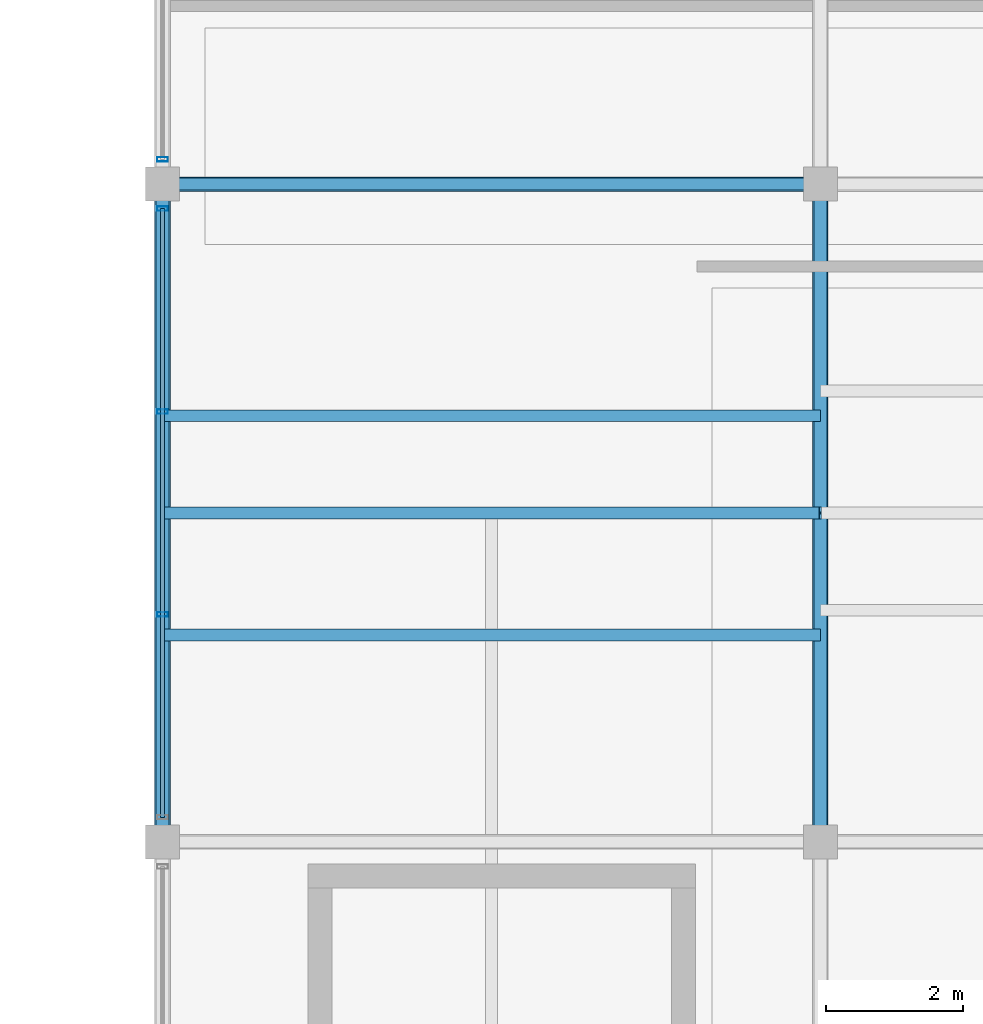
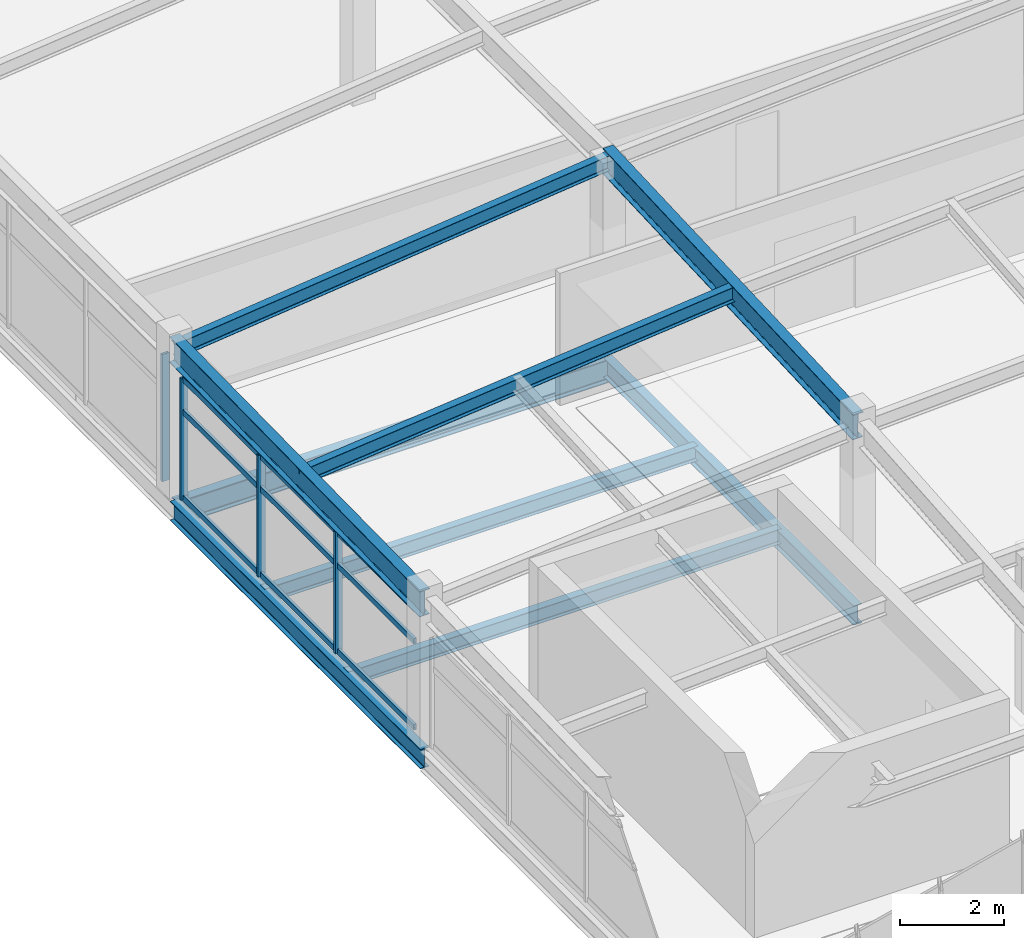
# One storey, part 34 of 65: 9 members, 7 beams, 2 elements without a shape of their own.
"""IFC4 building model written with IfcOpenShell, lengths in metres."""

from ifc_helpers import new_model, si_unit, direction, frame, origin, origin_2d, place, context, subcontext, project, spatial, hollow_rectangle, i_section, extrude, material, layer, layer_set, material_profile, profile_set, type_object, element, aggregate, save


model = new_model("IFC4")

# Units and contexts
model_context = context("Model", 3, precision=1e-05, world=origin(), true_north=direction((0.0, 1.0)))
body_context = subcontext(model_context, "Body", "Model", "MODEL_VIEW")
ifc_project = project(units=[si_unit("LENGTHUNIT", "METRE"), si_unit("AREAUNIT", "SQUARE_METRE"), si_unit("VOLUMEUNIT", "CUBIC_METRE"), si_unit("PLANEANGLEUNIT", "RADIAN"), si_unit("MASSUNIT", "GRAM", prefix="KILO")], contexts=[model_context])

# Site, building, storey
site_placement = place(None, origin())
site = spatial("IfcSite", under=ifc_project, at=site_placement, CompositionType="ELEMENT")
building_placement = place(site_placement, origin())
building = spatial("IfcBuilding", under=site, at=building_placement, Name="Chalmorin Arch Market", CompositionType="ELEMENT")
storey_placement = place(building_placement, frame((0.0, 0.0, 14.10009765625)))
storey = spatial("IfcBuildingStorey", under=building, at=storey_placement, Name="L03", CompositionType="ELEMENT", Elevation=14.10009765625)

# Curtain wall, members
ifc_material_1 = material(Name="Aluminium 6063-T6", Category="aluminium")
ifc_layer_1 = layer(ifc_material_1, 0.159912109375)
ifc_layer_set_1 = layer_set([ifc_layer_1], Name="Aluminium 6063-T6")
curtain_wall_type_1 = type_object("IfcCurtainWallType", Name="CulinaryStudioCurtainWall-CW3-8880x2840", PredefinedType="NOTDEFINED", material=ifc_layer_set_1)
curtain_wall_1_placement = place(storey_placement, origin())
curtain_wall_1 = element("IfcCurtainWall", 1, at=curtain_wall_1_placement, inside=storey, type_object=curtain_wall_type_1, Name="CW-03-112", PredefinedType="NOTDEFINED")
ifc_material_profile_1 = material_profile(ifc_material_1, hollow_rectangle(XDim=0.06494140625, YDim=0.159912109375, WallThickness=0.00390625, at=origin_2d()), Name="ALU65X160X4")
ifc_profile_set_1 = profile_set([ifc_material_profile_1], Name="Aluminium 6063-T6")
member_type_1 = type_object("IfcMemberType", Name="CurtainWallMullion-65x160", PredefinedType="MULLION", material=ifc_profile_set_1)
member_1_placement = place(storey_placement, frame((48.0, 84.919921875, 0.0), z_axis=(0.0, 0.0, 1.0), x_axis=(0.0, 1.0, 0.0)))
member_1 = element("IfcMember", 2, at=member_1_placement, type_object=member_type_1, Name="ML-112-02", PredefinedType="MULLION", context=body_context, shape_type="SweptSolid", body=[
    extrude(hollow_rectangle(XDim=0.06494140625, YDim=0.159912109375, WallThickness=0.00390625, at=origin_2d()), origin(), (0.0, 0.0, 1.0), 2.844970703125),
])
member_2_placement = place(storey_placement, frame((48.0, 87.8798828125, 0.0), z_axis=(0.0, 0.0, 1.0), x_axis=(0.0, 1.0, 0.0)))
member_2 = element("IfcMember", 3, at=member_2_placement, type_object=member_type_1, Name="ML-112-03", PredefinedType="MULLION", context=body_context, shape_type="SweptSolid", body=[
    extrude(hollow_rectangle(XDim=0.06494140625, YDim=0.159912109375, WallThickness=0.00390625, at=origin_2d()), origin(), (0.0, 0.0, 1.0), 2.844970703125),
])
member_3_placement = place(storey_placement, frame((48.0, 90.840087890625, 0.0), z_axis=(0.0, 0.0, 1.0), x_axis=(0.0, 1.0, 0.0)))
member_3 = element("IfcMember", 4, at=member_3_placement, type_object=member_type_1, Name="ML-112-04", PredefinedType="MULLION", context=body_context, shape_type="SweptSolid", body=[
    extrude(hollow_rectangle(XDim=0.06494140625, YDim=0.159912109375, WallThickness=0.00390625, at=origin_2d()), origin(), (0.0, 0.0, 1.0), 2.844970703125),
])

# Curtain wall, member
ifc_layer_2 = layer(ifc_material_1, 0.159912109375)
ifc_layer_set_2 = layer_set([ifc_layer_2], Name="Aluminium 6063-T6")
curtain_wall_type_2 = type_object("IfcCurtainWallType", Name="CulinaryStudioCurtainWall-CW3-8880x2980", PredefinedType="NOTDEFINED", material=ifc_layer_set_2)
curtain_wall_2_placement = place(storey_placement, origin())
curtain_wall_2 = element("IfcCurtainWall", 5, at=curtain_wall_2_placement, inside=storey, type_object=curtain_wall_type_2, Name="CW-03-114", PredefinedType="NOTDEFINED")
member_4_placement = place(storey_placement, frame((48.0, 91.56005859375, 0.0), z_axis=(0.0, 0.0, 1.0), x_axis=(0.0, 1.0, 0.0)))
member_4 = element("IfcMember", 6, at=member_4_placement, type_object=member_type_1, Name="ML-114-01", PredefinedType="MULLION", context=body_context, shape_type="SweptSolid", body=[
    extrude(hollow_rectangle(XDim=0.06494140625, YDim=0.159912109375, WallThickness=0.00390625, at=origin_2d()), origin(), (0.0, 0.0, 1.0), 2.977783203125),
])
aggregate(curtain_wall_2, [member_4])

# Member
ifc_material_profile_2 = material_profile(ifc_material_1, hollow_rectangle(XDim=0.06494140625, YDim=0.1298828125, WallThickness=0.00390625, at=origin_2d()), Name="ALU65X130X4")
ifc_profile_set_2 = profile_set([ifc_material_profile_2], Name="Aluminium 6063-T6")
member_type_2 = type_object("IfcMemberType", Name="CurtainWallTransom-65x130", PredefinedType="USERDEFINED", material=ifc_profile_set_2)
member_5_placement = place(storey_placement, frame((48.0, 81.9599609375, 0.034912109375), z_axis=(0.0, 1.0, 0.0), x_axis=(-1.0, 0.0, 0.0)))
member_5 = element("IfcMember", 7, at=member_5_placement, type_object=member_type_2, Name="TR-112-01", ObjectType="TRANSOM", PredefinedType="USERDEFINED", context=body_context, shape_type="SweptSolid", body=[
    extrude(hollow_rectangle(XDim=0.06494140625, YDim=0.1298828125, WallThickness=0.00390625, at=origin_2d()), origin(), (0.0, 0.0, 1.0), 8.880126953125),
])

member_6_placement = place(storey_placement, frame((48.0, 81.9599609375, 2.04833984375), z_axis=(0.0, 1.0, 0.0), x_axis=(-1.0, 0.0, 0.0)))
member_6 = element("IfcMember", 8, at=member_6_placement, type_object=member_type_2, Name="TR-112-02", ObjectType="TRANSOM", PredefinedType="USERDEFINED", context=body_context, shape_type="SweptSolid", body=[
    extrude(hollow_rectangle(XDim=0.06494140625, YDim=0.1298828125, WallThickness=0.00390625, at=origin_2d()), origin(), (0.0, 0.0, 1.0), 8.880126953125),
])

member_7_placement = place(storey_placement, frame((48.0, 81.9599609375, 2.809814453125), z_axis=(0.0, 1.0, 0.0), x_axis=(-1.0, 0.0, 0.0)))
member_7 = element("IfcMember", 9, at=member_7_placement, type_object=member_type_2, Name="TR-112-03", ObjectType="TRANSOM", PredefinedType="USERDEFINED", context=body_context, shape_type="SweptSolid", body=[
    extrude(hollow_rectangle(XDim=0.06494140625, YDim=0.1298828125, WallThickness=0.00390625, at=origin_2d()), origin(), (0.0, 0.0, 1.0), 8.880126953125),
])

aggregate(curtain_wall_1, [member_1, member_2, member_3, member_5, member_6, member_7])

# Beams
ifc_material_2 = material(Name="Steel A992 Grade 50", Category="steel")
ifc_material_profile_3 = material_profile(ifc_material_2, i_section(OverallWidth=0.19091796875, OverallDepth=0.45703125, WebThickness=0.009033203125, FlangeThickness=0.014404296875, FilletRadius=0.02001953125, at=origin_2d()), Name="W18X50")
ifc_profile_set_3 = profile_set([ifc_material_profile_3], Name="Steel A992 Grade 50")
beam_type_1 = type_object("IfcBeamType", Name="FloorSteelBeam-W18X50", PredefinedType="BEAM", material=ifc_profile_set_3)
beam_1_placement = place(storey_placement, frame((57.60009765625, 81.60009765625, -0.470703125), z_axis=(0.0, 1.0, 0.0), x_axis=(-1.0, 0.0, 0.0)))
element("IfcBeam", 10, at=beam_1_placement, inside=storey, type_object=beam_type_1, Name="BM-W18B-1383", PredefinedType="BEAM", context=body_context, shape_type="SweptSolid", body=[
    extrude(i_section(OverallWidth=0.19091796875, OverallDepth=0.45703125, WebThickness=0.009033203125, FlangeThickness=0.014404296875, FilletRadius=0.02001953125, at=origin_2d()), origin(), (0.0, 0.0, 1.0), 9.599853515625),
])
ifc_material_profile_4 = material_profile(ifc_material_2, i_section(OverallWidth=0.19091796875, OverallDepth=0.45703125, WebThickness=0.009033203125, FlangeThickness=0.014404296875, FilletRadius=0.02001953125, at=origin_2d()), Name="W18X50")
ifc_profile_set_4 = profile_set([ifc_material_profile_4], Name="Steel A992 Grade 50")
beam_type_2 = type_object("IfcBeamType", Name="PerimeterSpandrelBeam-W18X50", PredefinedType="SPANDREL", material=ifc_profile_set_4)
beam_2_placement = place(storey_placement, frame((48.0, 81.60009765625, -0.470703125), z_axis=(0.0, 1.0, 0.0), x_axis=(-1.0, 0.0, 0.0)))
element("IfcBeam", 11, at=beam_2_placement, inside=storey, type_object=beam_type_2, Name="SP-W18-1382", PredefinedType="SPANDREL", context=body_context, shape_type="SweptSolid", body=[
    extrude(i_section(OverallWidth=0.19091796875, OverallDepth=0.45703125, WebThickness=0.009033203125, FlangeThickness=0.014404296875, FilletRadius=0.02001953125, at=origin_2d()), origin(), (0.0, 0.0, 1.0), 9.599853515625),
])
ifc_material_profile_5 = material_profile(ifc_material_2, i_section(OverallWidth=0.2119140625, OverallDepth=0.5439453125, WebThickness=0.01318359375, FlangeThickness=0.021240234375, FilletRadius=0.02197265625, at=origin_2d()), Name="W21X83")
ifc_profile_set_5 = profile_set([ifc_material_profile_5], Name="Steel A992 Grade 50")
beam_type_3 = type_object("IfcBeamType", Name="PrimarySteelGirder-W21X83", PredefinedType="BEAM", material=ifc_profile_set_5)
beam_3_placement = place(storey_placement, frame((48.0, 91.199951171875, -0.51416015625), z_axis=(1.0, 0.0, 0.0), x_axis=(0.0, 1.0, 0.0)))
element("IfcBeam", 12, at=beam_3_placement, inside=storey, type_object=beam_type_3, Name="BG-W21A-1381", PredefinedType="BEAM", context=body_context, shape_type="SweptSolid", body=[
    extrude(i_section(OverallWidth=0.2119140625, OverallDepth=0.5439453125, WebThickness=0.01318359375, FlangeThickness=0.021240234375, FilletRadius=0.02197265625, at=origin_2d()), origin(), (0.0, 0.0, 1.0), 9.60009765625),
])
ifc_material_profile_6 = material_profile(ifc_material_2, i_section(OverallWidth=0.22802734375, OverallDepth=0.60791015625, WebThickness=0.01123046875, FlangeThickness=0.017333984375, FilletRadius=0.02392578125, at=origin_2d()), Name="W24X76")
ifc_profile_set_6 = profile_set([ifc_material_profile_6], Name="Steel A992 Grade 50")
beam_type_4 = type_object("IfcBeamType", Name="PrimarySteelGirder-W24X76", PredefinedType="BEAM", material=ifc_profile_set_6)
beam_4_placement = place(storey_placement, frame((48.0, 81.60009765625, 3.163818359375), z_axis=(0.0, 0.999874508233, 0.015841962784), x_axis=(-1.0, 0.0, 0.0)))
element("IfcBeam", 13, at=beam_4_placement, inside=storey, type_object=beam_type_4, Name="BG-W24B-1546", PredefinedType="BEAM", context=body_context, shape_type="SweptSolid", body=[
    extrude(i_section(OverallWidth=0.22802734375, OverallDepth=0.60791015625, WebThickness=0.01123046875, FlangeThickness=0.017333984375, FilletRadius=0.02392578125, at=origin_2d()), origin(), (0.0, 0.0, 1.0), 9.60107421875),
])
beam_5_placement = place(storey_placement, frame((57.60009765625, 81.60009765625, 3.94482421875), z_axis=(0.0, 0.999016734388, 0.044334686338), x_axis=(-1.0, 0.0, 0.0)))
element("IfcBeam", 14, at=beam_5_placement, inside=storey, type_object=beam_type_4, Name="BG-W24B-1551", PredefinedType="BEAM", context=body_context, shape_type="SweptSolid", body=[
    extrude(i_section(OverallWidth=0.22802734375, OverallDepth=0.60791015625, WebThickness=0.01123046875, FlangeThickness=0.017333984375, FilletRadius=0.02392578125, at=origin_2d()), origin(), (0.0, 0.0, 1.0), 9.609375),
])

# Members
ifc_material_profile_7 = material_profile(ifc_material_2, i_section(OverallWidth=0.1708984375, OverallDepth=0.35107421875, WebThickness=0.0068359375, FlangeThickness=0.009765625, FilletRadius=0.014892578125, at=origin_2d()), Name="W14X30")
ifc_profile_set_7 = profile_set([ifc_material_profile_7], Name="Steel A992 Grade 50")
member_type_3 = type_object("IfcMemberType", Name="RoofSteelPurlin-W14X30", PredefinedType="PURLIN", material=ifc_profile_set_7)
member_8_placement = place(storey_placement, frame((48.0, 86.39990234375, 3.218994140625), z_axis=(0.995100130717, 0.0, 0.098872290593), x_axis=(0.0, 1.0, 0.0)))
element("IfcMember", 15, at=member_8_placement, inside=storey, type_object=member_type_3, Name="PR-W14-0070", PredefinedType="PURLIN", context=body_context, shape_type="SweptSolid", body=[
    extrude(i_section(OverallWidth=0.1708984375, OverallDepth=0.35107421875, WebThickness=0.0068359375, FlangeThickness=0.009765625, FilletRadius=0.014892578125, at=origin_2d()), origin(), (0.0, 0.0, 1.0), 9.6474609375),
])
member_9_placement = place(storey_placement, frame((48.0, 91.199951171875, 3.27587890625), z_axis=(0.994016493463, 0.0, 0.109230081589), x_axis=(0.0, 1.0, 0.0)))
element("IfcMember", 16, at=member_9_placement, inside=storey, type_object=member_type_3, Name="PR-W14-0077", PredefinedType="PURLIN", context=body_context, shape_type="SweptSolid", body=[
    extrude(i_section(OverallWidth=0.1708984375, OverallDepth=0.35107421875, WebThickness=0.0068359375, FlangeThickness=0.009765625, FilletRadius=0.014892578125, at=origin_2d()), origin(), (0.0, 0.0, 1.0), 9.657958984375),
])

# Beams
ifc_material_profile_8 = material_profile(ifc_material_2, i_section(OverallWidth=0.1708984375, OverallDepth=0.35107421875, WebThickness=0.0068359375, FlangeThickness=0.009765625, FilletRadius=0.014892578125, at=origin_2d()), Name="W14X30")
ifc_profile_set_8 = profile_set([ifc_material_profile_8], Name="Steel A992 Grade 50")
beam_type_5 = type_object("IfcBeamType", Name="SecondaryFloorJoist-W14X30", PredefinedType="JOIST", material=ifc_profile_set_8)
for number, where, z_axis, x_axis, name in (
    (17, (48.0, 84.6201171875, -0.41748046875), (1.0, 0.0, 0.0), (0.0, 1.0, 0.0), "BJ-W14-1437"),
    (18, (48.0, 87.820068359375, -0.41748046875), (1.0, 0.0, 0.0), (0.0, 1.0, 0.0), "BJ-W14-1438"),
):
    element("IfcBeam", number, at=place(storey_placement, frame(where, z_axis=z_axis, x_axis=x_axis)), inside=storey, type_object=beam_type_5, Name=name, PredefinedType="JOIST", context=body_context, shape_type="SweptSolid", body=[
        extrude(i_section(OverallWidth=0.1708984375, OverallDepth=0.35107421875, WebThickness=0.0068359375, FlangeThickness=0.009765625, FilletRadius=0.014892578125, at=origin_2d()), origin(), (0.0, 0.0, 1.0), 9.60009765625),
    ])

save(model, "model.ifc")
